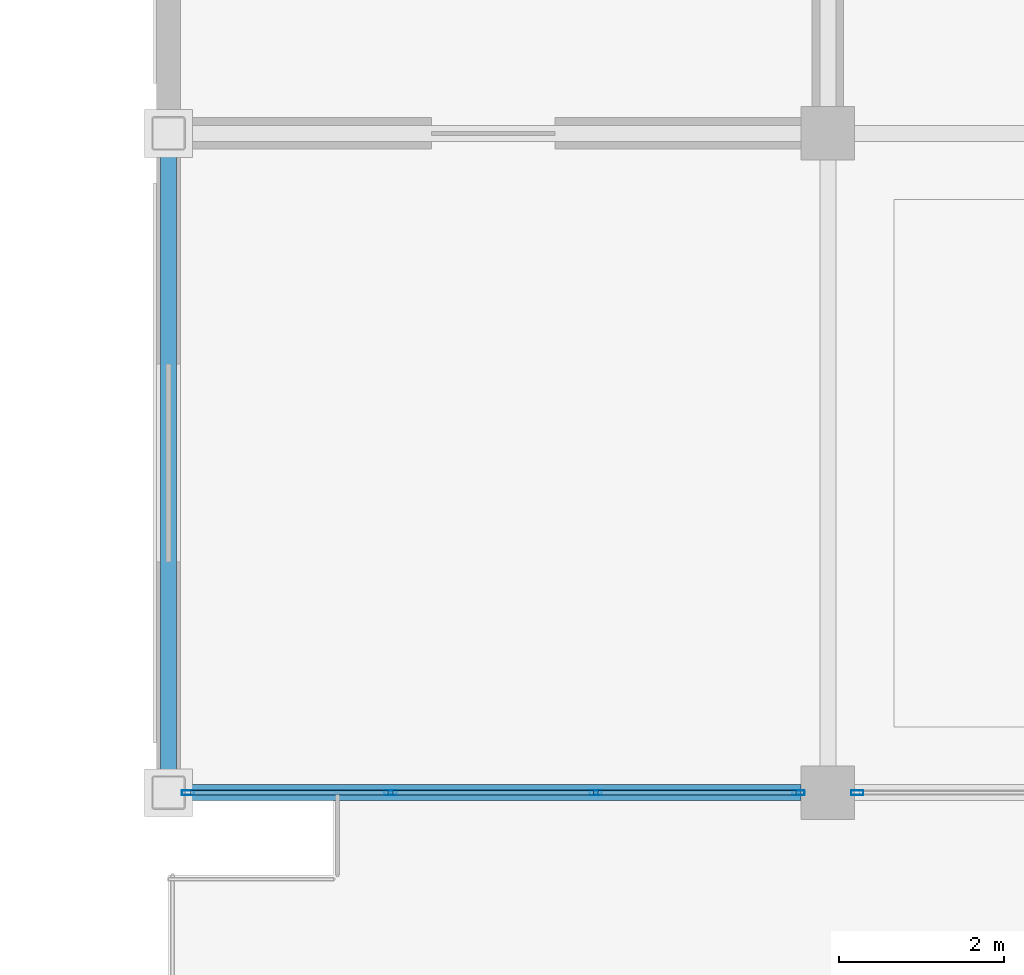
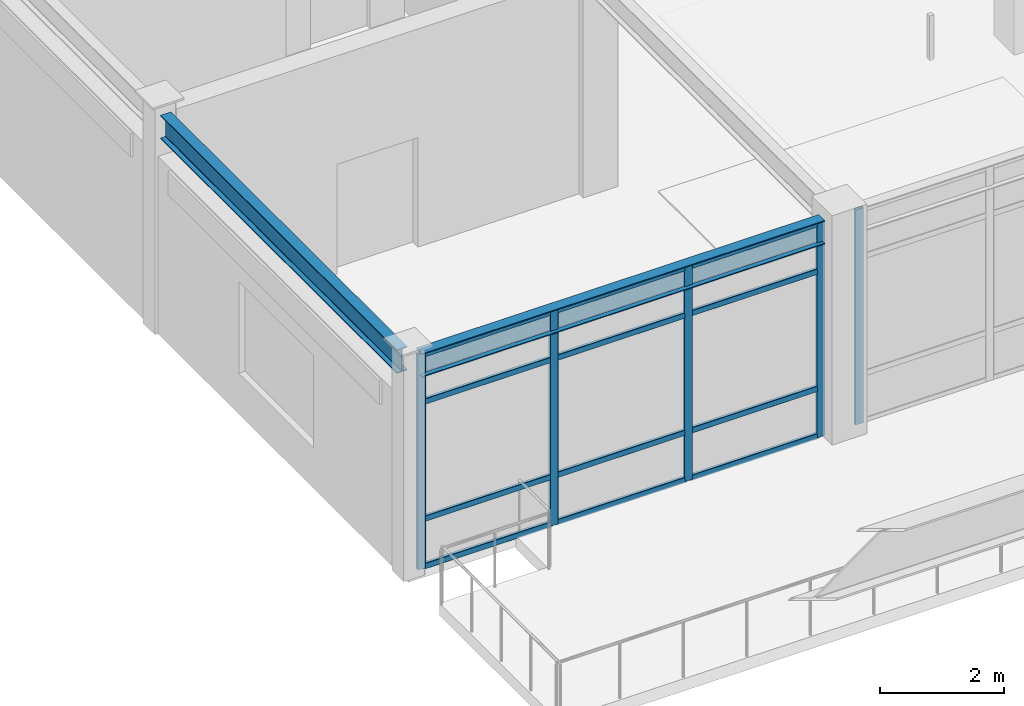
# One storey, part 38 of 78: 17 members, 2 beams, 2 elements without a shape of their own.
"""IFC4 building model written with IfcOpenShell, lengths in metres."""

from ifc_helpers import new_model, si_unit, direction, frame, origin, origin_2d, place, context, subcontext, project, spatial, hollow_rectangle, i_section, extrude, material, material_profile, profile_set, type_object, element, aggregate, save


model = new_model("IFC4")

# Units and contexts
model_context = context("Model", 3, precision=1e-05, world=origin(), true_north=direction((0.0, 1.0)))
body_context = subcontext(model_context, "Body", "Model", "MODEL_VIEW")
ifc_project = project(units=[si_unit("LENGTHUNIT", "METRE"), si_unit("AREAUNIT", "SQUARE_METRE"), si_unit("VOLUMEUNIT", "CUBIC_METRE"), si_unit("PLANEANGLEUNIT", "RADIAN"), si_unit("MASSUNIT", "GRAM", prefix="KILO")], contexts=[model_context])

# Site, building, storey
site_placement = place(None, origin())
site = spatial("IfcSite", under=ifc_project, at=site_placement, CompositionType="ELEMENT")
building_placement = place(site_placement, origin())
building = spatial("IfcBuilding", under=site, at=building_placement, Name="Solmirada Galleria", CompositionType="ELEMENT")
storey_placement = place(building_placement, frame((0.0, 0.0, 23.89990234375)))
storey = spatial("IfcBuildingStorey", under=building, at=storey_placement, Name="L05", CompositionType="ELEMENT", Elevation=23.89990234375)

# Beams
ifc_material_1 = material(Name="Steel S355 / ASTM A992 Grade 50", Category="steel")
ifc_material_profile_1 = material_profile(ifc_material_1, i_section(OverallWidth=0.193115234375, OverallDepth=0.466064453125, WebThickness=0.011474609375, FlangeThickness=0.01904296875, FilletRadius=0.013916015625, at=origin_2d()), Name="W18X65")
ifc_profile_set_1 = profile_set([ifc_material_profile_1], Name="Steel S355 / ASTM A992 Grade 50")
beam_type = type_object("IfcBeamType", Name="BM-GIRD-W18C", PredefinedType="BEAM", material=ifc_profile_set_1)
beam_1_placement = place(storey_placement, frame((40.202880859375, 96.0, 4.0400390625), z_axis=(1.0, 0.0, 0.0), x_axis=(0.0, 1.0, 0.0)))
element("IfcBeam", 1, at=beam_1_placement, inside=storey, type_object=beam_type, Name="North roof girder X=40..48", PredefinedType="BEAM", context=body_context, shape_type="SweptSolid", body=[
    extrude(i_section(OverallWidth=0.193115234375, OverallDepth=0.466064453125, WebThickness=0.011474609375, FlangeThickness=0.01904296875, FilletRadius=0.013916015625, at=origin_2d()), origin(), (0.0, 0.0, 1.0), 7.47216796875),
])
beam_2_placement = place(storey_placement, frame((40.0, 96.202880859375, 4.0400390625), z_axis=(0.0, 1.0, 0.0), x_axis=(-1.0, 0.0, 0.0)))
element("IfcBeam", 2, at=beam_2_placement, inside=storey, type_object=beam_type, Name="North roof girder Y=96..104", PredefinedType="BEAM", context=body_context, shape_type="SweptSolid", body=[
    extrude(i_section(OverallWidth=0.193115234375, OverallDepth=0.466064453125, WebThickness=0.011474609375, FlangeThickness=0.01904296875, FilletRadius=0.013916015625, at=origin_2d()), origin(), (0.0, 0.0, 1.0), 7.59423828125),
])

# Curtain wall, member
ifc_material_2 = material(Name="Impact-resistant low-E double glazing", Category="glass")
curtain_wall_type_1 = type_object("IfcCurtainWallType", Name="CW-FZ4-L05-B3-L074", PredefinedType="NOTDEFINED", material=ifc_material_2)
curtain_wall_1_placement = place(storey_placement, origin())
curtain_wall_1 = element("IfcCurtainWall", 3, at=curtain_wall_1_placement, inside=storey, type_object=curtain_wall_type_1, Name="Terrace and arcade storefront CW-L05-171", PredefinedType="NOTDEFINED")
ifc_material_3 = material(Name="Anodised aluminium framing", Category="aluminium")
ifc_material_profile_2 = material_profile(ifc_material_3, hollow_rectangle(XDim=0.06005859375, YDim=0.14990234375, WallThickness=0.00341796875, InnerFilletRadius=0.00341796875, OuterFilletRadius=0.007080078125, at=origin_2d()), Name="ALU-MULL-150X60")
ifc_profile_set_2 = profile_set([ifc_material_profile_2], Name="Anodised aluminium framing")
member_type_1 = type_object("IfcMemberType", Name="CW-MULL-150", PredefinedType="MULLION", material=ifc_profile_set_2)
member_1_placement = place(storey_placement, frame((48.35693359375, 96.0, 0.0), z_axis=(0.0, 0.0, 1.0), x_axis=(0.0, -1.0, 0.0)))
member_1 = element("IfcMember", 4, at=member_1_placement, type_object=member_type_1, Name="CW34 mullion 4", PredefinedType="MULLION", context=body_context, shape_type="SweptSolid", body=[
    extrude(hollow_rectangle(XDim=0.06005859375, YDim=0.14990234375, WallThickness=0.00341796875, InnerFilletRadius=0.00341796875, OuterFilletRadius=0.007080078125, at=origin_2d()), origin(), (0.0, 0.0, 1.0), 4.22021484375),
])
aggregate(curtain_wall_1, [member_1])

# Curtain wall, members
curtain_wall_type_2 = type_object("IfcCurtainWallType", Name="CW-FZ4-L05-B3-L075", PredefinedType="NOTDEFINED", material=ifc_material_2)
curtain_wall_2_placement = place(storey_placement, origin())
curtain_wall_2 = element("IfcCurtainWall", 5, at=curtain_wall_2_placement, inside=storey, type_object=curtain_wall_type_2, Name="Terrace and arcade storefront CW-L05-172", PredefinedType="NOTDEFINED")
member_2_placement = place(storey_placement, frame((47.64306640625, 96.0, 0.0), z_axis=(0.0, 0.0, 1.0), x_axis=(0.0, -1.0, 0.0)))
member_2 = element("IfcMember", 6, at=member_2_placement, type_object=member_type_1, Name="CW35 mullion 1", PredefinedType="MULLION", context=body_context, shape_type="SweptSolid", body=[
    extrude(hollow_rectangle(XDim=0.06005859375, YDim=0.14990234375, WallThickness=0.00341796875, InnerFilletRadius=0.00341796875, OuterFilletRadius=0.007080078125, at=origin_2d()), origin(), (0.0, 0.0, 1.0), 4.22021484375),
])
member_3_placement = place(storey_placement, frame((45.18359375, 96.0, 0.0), z_axis=(0.0, 0.0, 1.0), x_axis=(0.0, -1.0, 0.0)))
member_3 = element("IfcMember", 7, at=member_3_placement, type_object=member_type_1, Name="CW35 mullion 2", PredefinedType="MULLION", context=body_context, shape_type="SweptSolid", body=[
    extrude(hollow_rectangle(XDim=0.06005859375, YDim=0.14990234375, WallThickness=0.00341796875, InnerFilletRadius=0.00341796875, OuterFilletRadius=0.007080078125, at=origin_2d()), origin(), (0.0, 0.0, 1.0), 4.22021484375),
])
member_4_placement = place(storey_placement, frame((42.6943359375, 96.0, 0.0), z_axis=(0.0, 0.0, 1.0), x_axis=(0.0, -1.0, 0.0)))
member_4 = element("IfcMember", 8, at=member_4_placement, type_object=member_type_1, Name="CW35 mullion 3", PredefinedType="MULLION", context=body_context, shape_type="SweptSolid", body=[
    extrude(hollow_rectangle(XDim=0.06005859375, YDim=0.14990234375, WallThickness=0.00341796875, InnerFilletRadius=0.00341796875, OuterFilletRadius=0.007080078125, at=origin_2d()), origin(), (0.0, 0.0, 1.0), 4.22021484375),
])
member_5_placement = place(storey_placement, frame((40.235107421875, 96.0, 0.0), z_axis=(0.0, 0.0, 1.0), x_axis=(0.0, -1.0, 0.0)))
member_5 = element("IfcMember", 9, at=member_5_placement, type_object=member_type_1, Name="CW35 mullion 4", PredefinedType="MULLION", context=body_context, shape_type="SweptSolid", body=[
    extrude(hollow_rectangle(XDim=0.06005859375, YDim=0.14990234375, WallThickness=0.00341796875, InnerFilletRadius=0.00341796875, OuterFilletRadius=0.007080078125, at=origin_2d()), origin(), (0.0, 0.0, 1.0), 4.22021484375),
])
ifc_material_profile_3 = material_profile(ifc_material_3, hollow_rectangle(XDim=0.06005859375, YDim=0.110107421875, WallThickness=0.003173828125, InnerFilletRadius=0.003173828125, OuterFilletRadius=0.00634765625, at=origin_2d()), Name="ALU-TRAN-110X60")
ifc_profile_set_3 = profile_set([ifc_material_profile_3], Name="Anodised aluminium framing")
member_type_2 = type_object("IfcMemberType", Name="CW-TRAN-110", PredefinedType="USERDEFINED", material=ifc_profile_set_3)
member_6_placement = place(storey_placement, frame((47.613037109375, 96.0, 0.030029296875), z_axis=(-1.0, 0.0, 0.0), x_axis=(0.0, -1.0, 0.0)))
member_6 = element("IfcMember", 10, at=member_6_placement, type_object=member_type_2, Name="CW35 transom 1.1", ObjectType="TRANSOM", PredefinedType="USERDEFINED", context=body_context, shape_type="SweptSolid", body=[
    extrude(hollow_rectangle(XDim=0.06005859375, YDim=0.110107421875, WallThickness=0.003173828125, InnerFilletRadius=0.003173828125, OuterFilletRadius=0.00634765625, at=origin_2d()), origin(), (0.0, 0.0, 1.0), 2.3994140625),
])
member_7_placement = place(storey_placement, frame((47.613037109375, 96.0, 0.960205078125), z_axis=(-1.0, 0.0, 0.0), x_axis=(0.0, -1.0, 0.0)))
member_7 = element("IfcMember", 11, at=member_7_placement, type_object=member_type_2, Name="CW35 transom 1.2", ObjectType="TRANSOM", PredefinedType="USERDEFINED", context=body_context, shape_type="SweptSolid", body=[
    extrude(hollow_rectangle(XDim=0.06005859375, YDim=0.110107421875, WallThickness=0.003173828125, InnerFilletRadius=0.003173828125, OuterFilletRadius=0.00634765625, at=origin_2d()), origin(), (0.0, 0.0, 1.0), 2.3994140625),
])
member_8_placement = place(storey_placement, frame((47.613037109375, 96.0, 3.260009765625), z_axis=(-1.0, 0.0, 0.0), x_axis=(0.0, -1.0, 0.0)))
member_8 = element("IfcMember", 12, at=member_8_placement, type_object=member_type_2, Name="CW35 transom 1.3", ObjectType="TRANSOM", PredefinedType="USERDEFINED", context=body_context, shape_type="SweptSolid", body=[
    extrude(hollow_rectangle(XDim=0.06005859375, YDim=0.110107421875, WallThickness=0.003173828125, InnerFilletRadius=0.003173828125, OuterFilletRadius=0.00634765625, at=origin_2d()), origin(), (0.0, 0.0, 1.0), 2.3994140625),
])
member_9_placement = place(storey_placement, frame((47.613037109375, 96.0, 4.190185546875), z_axis=(-1.0, 0.0, 0.0), x_axis=(0.0, -1.0, 0.0)))
member_9 = element("IfcMember", 13, at=member_9_placement, type_object=member_type_2, Name="CW35 transom 1.4", ObjectType="TRANSOM", PredefinedType="USERDEFINED", context=body_context, shape_type="SweptSolid", body=[
    extrude(hollow_rectangle(XDim=0.06005859375, YDim=0.110107421875, WallThickness=0.003173828125, InnerFilletRadius=0.003173828125, OuterFilletRadius=0.00634765625, at=origin_2d()), origin(), (0.0, 0.0, 1.0), 2.3994140625),
])
member_10_placement = place(storey_placement, frame((45.153564453125, 96.0, 0.030029296875), z_axis=(-1.0, 0.0, 0.0), x_axis=(0.0, -1.0, 0.0)))
member_10 = element("IfcMember", 14, at=member_10_placement, type_object=member_type_2, Name="CW35 transom 2.1", ObjectType="TRANSOM", PredefinedType="USERDEFINED", context=body_context, shape_type="SweptSolid", body=[
    extrude(hollow_rectangle(XDim=0.06005859375, YDim=0.110107421875, WallThickness=0.003173828125, InnerFilletRadius=0.003173828125, OuterFilletRadius=0.00634765625, at=origin_2d()), origin(), (0.0, 0.0, 1.0), 2.42919921875),
])
member_11_placement = place(storey_placement, frame((45.153564453125, 96.0, 0.960205078125), z_axis=(-1.0, 0.0, 0.0), x_axis=(0.0, -1.0, 0.0)))
member_11 = element("IfcMember", 15, at=member_11_placement, type_object=member_type_2, Name="CW35 transom 2.2", ObjectType="TRANSOM", PredefinedType="USERDEFINED", context=body_context, shape_type="SweptSolid", body=[
    extrude(hollow_rectangle(XDim=0.06005859375, YDim=0.110107421875, WallThickness=0.003173828125, InnerFilletRadius=0.003173828125, OuterFilletRadius=0.00634765625, at=origin_2d()), origin(), (0.0, 0.0, 1.0), 2.42919921875),
])
member_12_placement = place(storey_placement, frame((45.153564453125, 96.0, 3.260009765625), z_axis=(-1.0, 0.0, 0.0), x_axis=(0.0, -1.0, 0.0)))
member_12 = element("IfcMember", 16, at=member_12_placement, type_object=member_type_2, Name="CW35 transom 2.3", ObjectType="TRANSOM", PredefinedType="USERDEFINED", context=body_context, shape_type="SweptSolid", body=[
    extrude(hollow_rectangle(XDim=0.06005859375, YDim=0.110107421875, WallThickness=0.003173828125, InnerFilletRadius=0.003173828125, OuterFilletRadius=0.00634765625, at=origin_2d()), origin(), (0.0, 0.0, 1.0), 2.42919921875),
])
member_13_placement = place(storey_placement, frame((45.153564453125, 96.0, 4.190185546875), z_axis=(-1.0, 0.0, 0.0), x_axis=(0.0, -1.0, 0.0)))
member_13 = element("IfcMember", 17, at=member_13_placement, type_object=member_type_2, Name="CW35 transom 2.4", ObjectType="TRANSOM", PredefinedType="USERDEFINED", context=body_context, shape_type="SweptSolid", body=[
    extrude(hollow_rectangle(XDim=0.06005859375, YDim=0.110107421875, WallThickness=0.003173828125, InnerFilletRadius=0.003173828125, OuterFilletRadius=0.00634765625, at=origin_2d()), origin(), (0.0, 0.0, 1.0), 2.42919921875),
])
member_14_placement = place(storey_placement, frame((42.664306640625, 96.0, 0.030029296875), z_axis=(-1.0, 0.0, 0.0), x_axis=(0.0, -1.0, 0.0)))
member_14 = element("IfcMember", 18, at=member_14_placement, type_object=member_type_2, Name="CW35 transom 3.1", ObjectType="TRANSOM", PredefinedType="USERDEFINED", context=body_context, shape_type="SweptSolid", body=[
    extrude(hollow_rectangle(XDim=0.06005859375, YDim=0.110107421875, WallThickness=0.003173828125, InnerFilletRadius=0.003173828125, OuterFilletRadius=0.00634765625, at=origin_2d()), origin(), (0.0, 0.0, 1.0), 2.3994140625),
])
member_15_placement = place(storey_placement, frame((42.664306640625, 96.0, 0.960205078125), z_axis=(-1.0, 0.0, 0.0), x_axis=(0.0, -1.0, 0.0)))
member_15 = element("IfcMember", 19, at=member_15_placement, type_object=member_type_2, Name="CW35 transom 3.2", ObjectType="TRANSOM", PredefinedType="USERDEFINED", context=body_context, shape_type="SweptSolid", body=[
    extrude(hollow_rectangle(XDim=0.06005859375, YDim=0.110107421875, WallThickness=0.003173828125, InnerFilletRadius=0.003173828125, OuterFilletRadius=0.00634765625, at=origin_2d()), origin(), (0.0, 0.0, 1.0), 2.3994140625),
])
member_16_placement = place(storey_placement, frame((42.664306640625, 96.0, 3.260009765625), z_axis=(-1.0, 0.0, 0.0), x_axis=(0.0, -1.0, 0.0)))
member_16 = element("IfcMember", 20, at=member_16_placement, type_object=member_type_2, Name="CW35 transom 3.3", ObjectType="TRANSOM", PredefinedType="USERDEFINED", context=body_context, shape_type="SweptSolid", body=[
    extrude(hollow_rectangle(XDim=0.06005859375, YDim=0.110107421875, WallThickness=0.003173828125, InnerFilletRadius=0.003173828125, OuterFilletRadius=0.00634765625, at=origin_2d()), origin(), (0.0, 0.0, 1.0), 2.3994140625),
])
member_17_placement = place(storey_placement, frame((42.664306640625, 96.0, 4.190185546875), z_axis=(-1.0, 0.0, 0.0), x_axis=(0.0, -1.0, 0.0)))
member_17 = element("IfcMember", 21, at=member_17_placement, type_object=member_type_2, Name="CW35 transom 3.4", ObjectType="TRANSOM", PredefinedType="USERDEFINED", context=body_context, shape_type="SweptSolid", body=[
    extrude(hollow_rectangle(XDim=0.06005859375, YDim=0.110107421875, WallThickness=0.003173828125, InnerFilletRadius=0.003173828125, OuterFilletRadius=0.00634765625, at=origin_2d()), origin(), (0.0, 0.0, 1.0), 2.3994140625),
])
aggregate(curtain_wall_2, [member_2, member_3, member_4, member_5, member_6, member_7, member_8, member_9, member_10, member_11, member_12, member_13, member_14, member_15, member_16, member_17])

save(model, "model.ifc")
